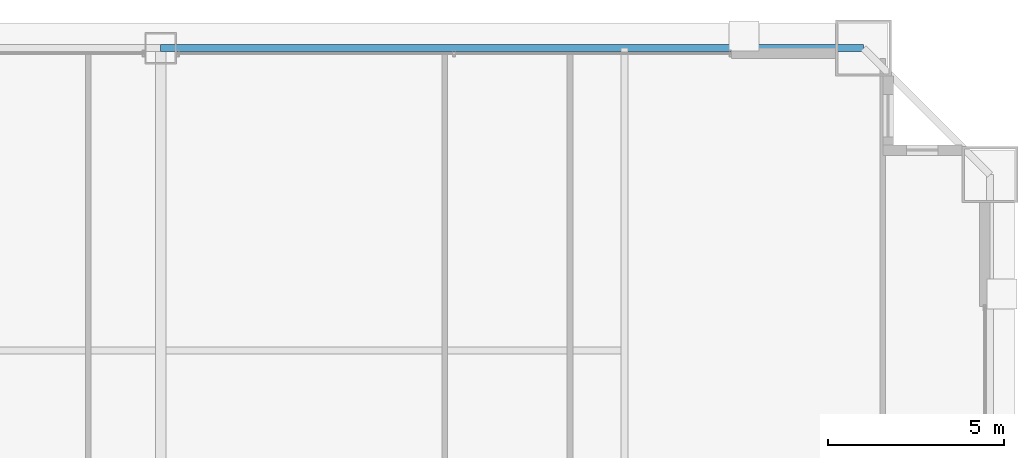
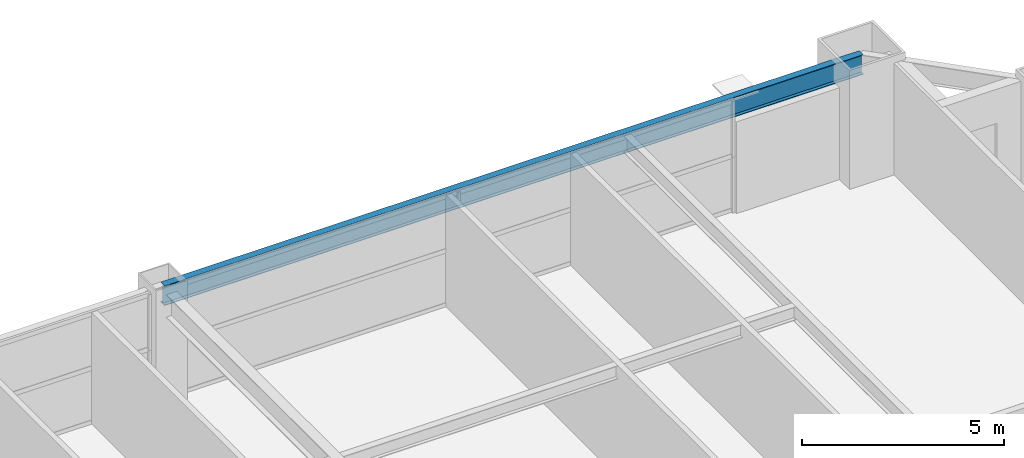
# One storey, part 31 of 38: 1 beam.
"""IFC4 building model written with IfcOpenShell, lengths in metres."""

from ifc_helpers import new_model, si_unit, direction, frame, origin, origin_2d, place, context, subcontext, project, spatial, i_section, extrude, source, transform, mapped, material, material_profile, profile_set, type_object, element, save


model = new_model("IFC4")

# Units and contexts
model_context = context("Model", 3, precision=1e-05, world=origin(), true_north=direction((0.0, 1.0)))
body_context = subcontext(model_context, "Body", "Model", "MODEL_VIEW")
ifc_project = project(units=[si_unit("LENGTHUNIT", "METRE"), si_unit("AREAUNIT", "SQUARE_METRE"), si_unit("VOLUMEUNIT", "CUBIC_METRE"), si_unit("PLANEANGLEUNIT", "RADIAN"), si_unit("MASSUNIT", "GRAM", prefix="KILO"), si_unit("THERMODYNAMICTEMPERATUREUNIT", "KELVIN"), si_unit("POWERUNIT", "WATT")], contexts=[model_context])

# Site, building, storey
site_placement = place(None, origin())
site = spatial("IfcSite", under=ifc_project, at=site_placement, CompositionType="ELEMENT")
building_placement = place(site_placement, origin())
building = spatial("IfcBuilding", under=site, at=building_placement, Name="Yuzanri Waterfront Tower", CompositionType="ELEMENT")
storey_placement = place(building_placement, frame((0.0, 0.0, 119.0)))
storey = spatial("IfcBuildingStorey", under=building, at=storey_placement, Name="L31", CompositionType="ELEMENT", Elevation=119.0)

# Beam
ifc_material = material(Name="Steel Q355B", Category="steel")
ifc_material_profile = material_profile(ifc_material, i_section(OverallWidth=0.199951171875, OverallDepth=0.60009765625, WebThickness=0.010986328125, FlangeThickness=0.01708984375, at=origin_2d()), Name="HN 600x200x11x17")
ifc_profile_set = profile_set([ifc_material_profile], Name="Steel Q355B")
beam_type = type_object("IfcBeamType", Name="Perimeter Spandrel Q355B HN 600x200", PredefinedType="SPANDREL", material=ifc_profile_set)
shared_shape = source(origin(), body_context, "Body", "SweptSolid", [
    extrude(i_section(OverallWidth=0.199951171875, OverallDepth=0.60009765625, WebThickness=0.010986328125, FlangeThickness=0.01708984375, at=origin_2d()), origin(), (0.0, 0.0, 1.0), 20.0),
])
beam_placement = place(storey_placement, frame((57.0, 49.39990234375, 3.080078125), z_axis=(-1.0, 0.0, 0.0), x_axis=(0.0, -1.0, 0.0)))
element("IfcBeam", 1, at=beam_placement, inside=storey, type_object=beam_type, Name="L31 Perimeter Spandrel N3-N2", PredefinedType="SPANDREL", context=body_context, shape_type="MappedRepresentation", body=[
    mapped(shared_shape, transform((0.0, 0.0, 0.0), scale=1.0)),
])

save(model, "model.ifc")
